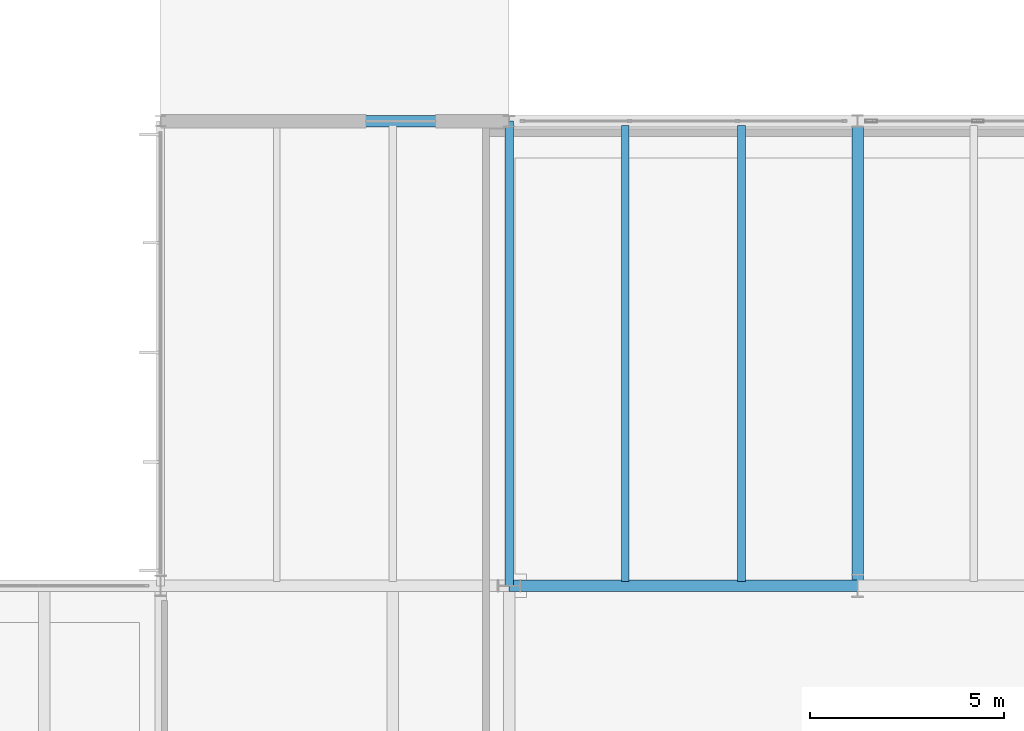
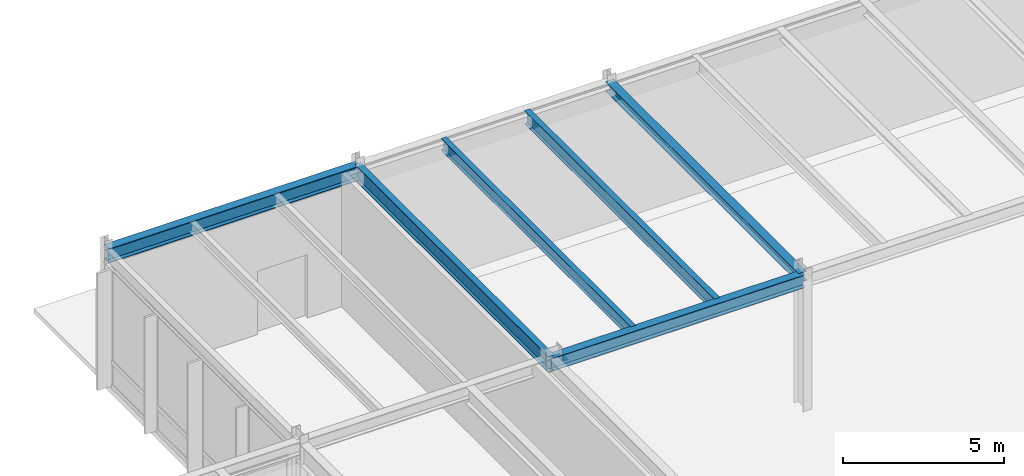
# One storey, part 64 of 143: 6 beams.
"""IFC4 building model written with IfcOpenShell, lengths in metres."""

from ifc_helpers import new_model, si_unit, direction, frame, origin, origin_2d, place, context, subcontext, project, spatial, i_section, extrude, material, material_profile, profile_set, type_object, element, save


model = new_model("IFC4")

# Units and contexts
model_context = context("Model", 3, precision=1e-05, world=origin(), true_north=direction((0.0, 1.0)))
body_context = subcontext(model_context, "Body", "Model", "MODEL_VIEW")
ifc_project = project(units=[si_unit("LENGTHUNIT", "METRE"), si_unit("AREAUNIT", "SQUARE_METRE"), si_unit("VOLUMEUNIT", "CUBIC_METRE"), si_unit("PLANEANGLEUNIT", "RADIAN"), si_unit("MASSUNIT", "GRAM", prefix="KILO")], contexts=[model_context])

# Site, building, storey
site_placement = place(None, origin())
site = spatial("IfcSite", under=ifc_project, at=site_placement, CompositionType="ELEMENT")
building_placement = place(site_placement, origin())
building = spatial("IfcBuilding", under=site, at=building_placement, Name="Montelvaro Courts of Justice", CompositionType="ELEMENT")
storey_placement = place(building_placement, origin())
storey = spatial("IfcBuildingStorey", under=building, at=storey_placement, Name="L00", CompositionType="ELEMENT", Elevation=0.0)

# Beams
ifc_material = material(Name="Steel S355", Category="steel")
ifc_material_profile_1 = material_profile(ifc_material, i_section(OverallWidth=0.300048828125, OverallDepth=0.35009765625, WebThickness=0.010009765625, FlangeThickness=0.017578125, at=origin_2d()), Name="HEA 360")
ifc_profile_set_1 = profile_set([ifc_material_profile_1], Name="Steel S355")
beam_type_1 = type_object("IfcBeamType", Name="Beam_HEA360", PredefinedType="USERDEFINED", material=ifc_profile_set_1)
beam_1_placement = place(storey_placement, frame((45.0, 96.0, 4.905029296875), z_axis=(0.0, 1.0, 0.0), x_axis=(-1.0, 0.0, 0.0)))
element("IfcBeam", 1, at=beam_1_placement, inside=storey, type_object=beam_type_1, Name="Beam B-16 L00", ObjectType="GIRDER", PredefinedType="USERDEFINED", context=body_context, shape_type="SweptSolid", body=[
    extrude(i_section(OverallWidth=0.300048828125, OverallDepth=0.35009765625, WebThickness=0.010009765625, FlangeThickness=0.017578125, at=origin_2d()), origin(), (0.0, 0.0, 1.0), 12.0),
])
ifc_material_profile_2 = material_profile(ifc_material, i_section(OverallWidth=0.300048828125, OverallDepth=0.489990234375, WebThickness=0.011962890625, FlangeThickness=0.02294921875, at=origin_2d()), Name="HEA 500")
ifc_profile_set_2 = profile_set([ifc_material_profile_2], Name="Steel S355")
beam_type_2 = type_object("IfcBeamType", Name="Beam_HEA500", PredefinedType="USERDEFINED", material=ifc_profile_set_2)
beam_2_placement = place(storey_placement, frame((36.0, 96.0, 4.8349609375), z_axis=(1.0, 0.0, 0.0), x_axis=(0.0, 1.0, 0.0)))
element("IfcBeam", 2, at=beam_2_placement, inside=storey, type_object=beam_type_2, Name="Beam B-19 L00", ObjectType="GIRDER", PredefinedType="USERDEFINED", context=body_context, shape_type="SweptSolid", body=[
    extrude(i_section(OverallWidth=0.300048828125, OverallDepth=0.489990234375, WebThickness=0.011962890625, FlangeThickness=0.02294921875, at=origin_2d()), origin(), (0.0, 0.0, 1.0), 9.0),
])
ifc_material_profile_3 = material_profile(ifc_material, i_section(OverallWidth=0.300048828125, OverallDepth=0.5400390625, WebThickness=0.012451171875, FlangeThickness=0.02392578125, at=origin_2d()), Name="HEA 550")
ifc_profile_set_3 = profile_set([ifc_material_profile_3], Name="Steel S355")
beam_type_3 = type_object("IfcBeamType", Name="Beam_HEA550", PredefinedType="USERDEFINED", material=ifc_profile_set_3)
beam_3_placement = place(storey_placement, frame((27.0, 108.0, 4.81005859375), z_axis=(1.0, 0.0, 0.0), x_axis=(0.0, 1.0, 0.0)))
element("IfcBeam", 3, at=beam_3_placement, inside=storey, type_object=beam_type_3, Name="Beam B-20 L00", ObjectType="GIRDER", PredefinedType="USERDEFINED", context=body_context, shape_type="SweptSolid", body=[
    extrude(i_section(OverallWidth=0.300048828125, OverallDepth=0.5400390625, WebThickness=0.012451171875, FlangeThickness=0.02392578125, at=origin_2d()), origin(), (0.0, 0.0, 1.0), 9.0),
])
ifc_material_profile_4 = material_profile(ifc_material, i_section(OverallWidth=0.18994140625, OverallDepth=0.449951171875, WebThickness=0.009521484375, FlangeThickness=0.0146484375, at=origin_2d()), Name="IPE 450")
ifc_profile_set_4 = profile_set([ifc_material_profile_4], Name="Steel S355")
beam_type_4 = type_object("IfcBeamType", Name="Beam_IPE450", PredefinedType="BEAM", material=ifc_profile_set_4)
beam_4_placement = place(storey_placement, frame((39.0, 96.110107421875, 4.85498046875), z_axis=(0.0, 1.0, 0.0), x_axis=(-1.0, 0.0, 0.0)))
element("IfcBeam", 4, at=beam_4_placement, inside=storey, type_object=beam_type_4, Name="Beam B-09 L00", PredefinedType="BEAM", context=body_context, shape_type="SweptSolid", body=[
    extrude(i_section(OverallWidth=0.18994140625, OverallDepth=0.449951171875, WebThickness=0.009521484375, FlangeThickness=0.0146484375, at=origin_2d()), origin(), (0.0, 0.0, 1.0), 11.77978515625),
])
ifc_material_profile_5 = material_profile(ifc_material, i_section(OverallWidth=0.199951171875, OverallDepth=0.5, WebThickness=0.01025390625, FlangeThickness=0.01611328125, at=origin_2d()), Name="IPE 500")
ifc_profile_set_5 = profile_set([ifc_material_profile_5], Name="Steel S355")
beam_type_5 = type_object("IfcBeamType", Name="Beam_IPE500", PredefinedType="BEAM", material=ifc_profile_set_5)
beam_5_placement = place(storey_placement, frame((42.0, 96.110107421875, 4.830078125), z_axis=(0.0, 1.0, 0.0), x_axis=(-1.0, 0.0, 0.0)))
element("IfcBeam", 5, at=beam_5_placement, inside=storey, type_object=beam_type_5, Name="Beam B-10 L00", PredefinedType="BEAM", context=body_context, shape_type="SweptSolid", body=[
    extrude(i_section(OverallWidth=0.199951171875, OverallDepth=0.5, WebThickness=0.01025390625, FlangeThickness=0.01611328125, at=origin_2d()), origin(), (0.0, 0.0, 1.0), 11.77978515625),
])
ifc_material_profile_6 = material_profile(ifc_material, i_section(OverallWidth=0.219970703125, OverallDepth=0.60009765625, WebThickness=0.011962890625, FlangeThickness=0.01904296875, at=origin_2d()), Name="IPE 600")
ifc_profile_set_6 = profile_set([ifc_material_profile_6], Name="Steel S355")
beam_type_6 = type_object("IfcBeamType", Name="Beam_IPE600", PredefinedType="USERDEFINED", material=ifc_profile_set_6)
beam_6_placement = place(storey_placement, frame((36.0, 96.0, 4.780029296875), z_axis=(0.0, 1.0, 0.0), x_axis=(-1.0, 0.0, 0.0)))
element("IfcBeam", 6, at=beam_6_placement, inside=storey, type_object=beam_type_6, Name="Beam B-12 L00", ObjectType="GIRDER", PredefinedType="USERDEFINED", context=body_context, shape_type="SweptSolid", body=[
    extrude(i_section(OverallWidth=0.219970703125, OverallDepth=0.60009765625, WebThickness=0.011962890625, FlangeThickness=0.01904296875, at=origin_2d()), origin(), (0.0, 0.0, 1.0), 12.0),
])

save(model, "model.ifc")
